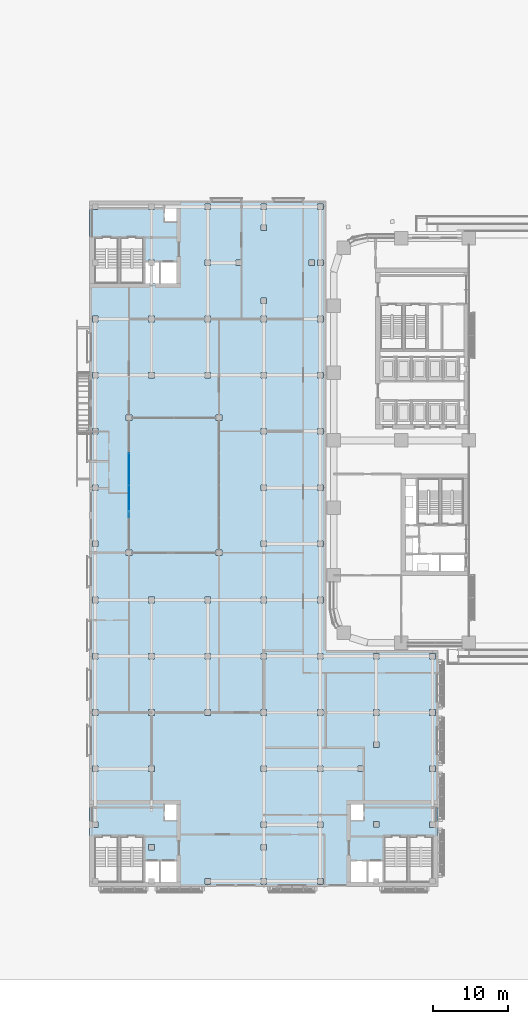
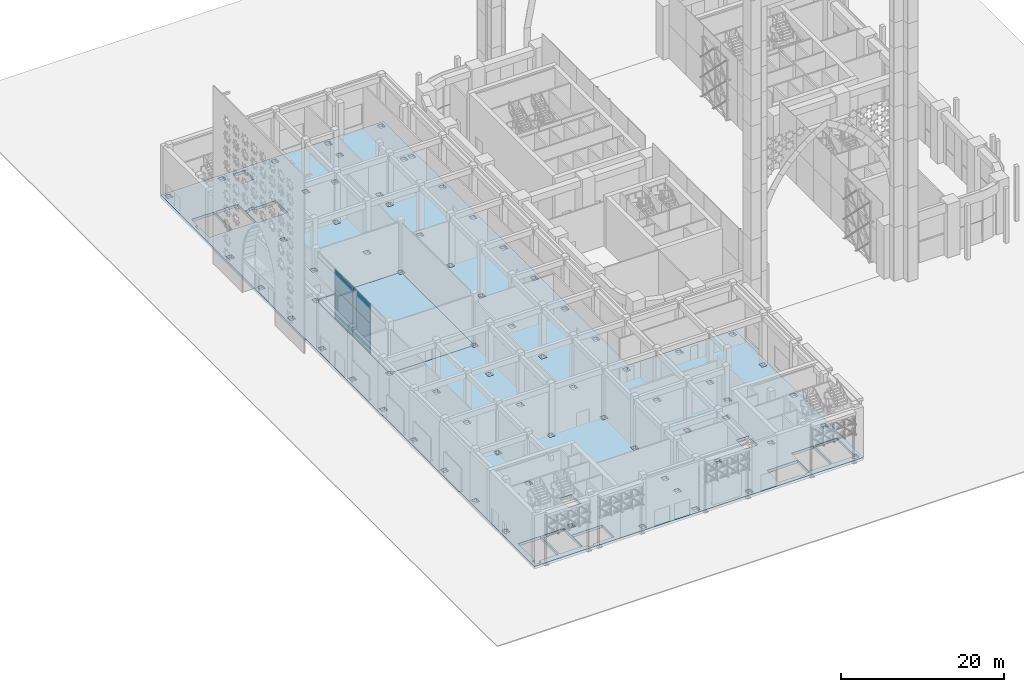
# One storey, part 21 of 64: 4 plates, 2 slabs, 1 element without a shape of its own.
"""IFC4 building model written with IfcOpenShell, lengths in metres."""

from ifc_helpers import new_model, si_unit, direction, frame, origin, origin_2d, place, context, subcontext, project, spatial, polyline, rectangle, outline, extrude, material, layer, layer_set, type_object, element, aggregate, save


model = new_model("IFC4")

# Units and contexts
model_context = context("Model", 3, precision=1e-05, world=origin(), true_north=direction((0.0, 1.0)))
body_context = subcontext(model_context, "Body", "Model", "MODEL_VIEW")
ifc_project = project(units=[si_unit("LENGTHUNIT", "METRE"), si_unit("AREAUNIT", "SQUARE_METRE"), si_unit("VOLUMEUNIT", "CUBIC_METRE"), si_unit("PLANEANGLEUNIT", "RADIAN"), si_unit("MASSUNIT", "GRAM", prefix="KILO")], contexts=[model_context])

# Site, building, storey
site_placement = place(None, origin())
site = spatial("IfcSite", under=ifc_project, at=site_placement, CompositionType="ELEMENT")
building_placement = place(site_placement, origin())
building = spatial("IfcBuilding", under=site, at=building_placement, Name="Tessera Arch", CompositionType="ELEMENT")
storey_placement = place(building_placement, origin())
storey = spatial("IfcBuildingStorey", under=building, at=storey_placement, Name="L00", CompositionType="ELEMENT", Elevation=0.0)

# Curtain wall, plates
ifc_material_1 = material(Name="Aluminium and clear glass", Category="aluminium")
ifc_layer_1 = layer(ifc_material_1, 0.1201171875)
ifc_layer_set_1 = layer_set([ifc_layer_1], Name="Courtyard curtain wall")
curtain_wall_type = type_object("IfcCurtainWallType", Name="Courtyard curtain wall", PredefinedType="NOTDEFINED", material=ifc_layer_set_1)
curtain_wall_placement = place(storey_placement, origin())
curtain_wall = element("IfcCurtainWall", 1, at=curtain_wall_placement, inside=storey, type_object=curtain_wall_type, Name="Courtyard curtain wall L00 4", PredefinedType="NOTDEFINED")
ifc_material_2 = material(Name="Clear low-e laminated glass", Category="glass")
ifc_layer_2 = layer(ifc_material_2, 0.028076171875)
ifc_layer_set_2 = layer_set([ifc_layer_2], Name="Courtyard glass panel")
plate_type = type_object("IfcPlateType", Name="Courtyard glass panel", PredefinedType="CURTAIN_PANEL", material=ifc_layer_set_2)
plate_1_placement = place(storey_placement, frame((-27.300048828125, 23.15625, 0.06005859375), z_axis=(0.0, 0.0, 1.0), x_axis=(0.0, -1.0, 0.0)))
plate_1 = element("IfcPlate", 2, at=plate_1_placement, type_object=plate_type, Name="MCW1 panel 2.1", PredefinedType="CURTAIN_PANEL", context=body_context, shape_type="SweptSolid", body=[
    extrude(rectangle(XDim=4.25244140625, YDim=0.028076171875, at=origin_2d()), origin(), (0.0, 0.0, 1.0), 4.464111328125),
])
plate_2_placement = place(storey_placement, frame((-27.300048828125, 23.15625, 4.583984375), z_axis=(0.0, 0.0, 1.0), x_axis=(0.0, -1.0, 0.0)))
plate_2 = element("IfcPlate", 3, at=plate_2_placement, type_object=plate_type, Name="MCW1 panel 2.2", PredefinedType="CURTAIN_PANEL", context=body_context, shape_type="SweptSolid", body=[
    extrude(rectangle(XDim=4.25244140625, YDim=0.028076171875, at=origin_2d()), origin(), (0.0, 0.0, 1.0), 2.946044921875),
])
plate_3_placement = place(storey_placement, frame((-27.300048828125, 18.84375, 0.06005859375), z_axis=(0.0, 0.0, 1.0), x_axis=(0.0, -1.0, 0.0)))
plate_3 = element("IfcPlate", 4, at=plate_3_placement, type_object=plate_type, Name="MCW1 panel 3.1", PredefinedType="CURTAIN_PANEL", context=body_context, shape_type="SweptSolid", body=[
    extrude(rectangle(XDim=4.25244140625, YDim=0.028076171875, at=origin_2d()), origin(), (0.0, 0.0, 1.0), 4.464111328125),
])
plate_4_placement = place(storey_placement, frame((-27.300048828125, 18.84375, 4.583984375), z_axis=(0.0, 0.0, 1.0), x_axis=(0.0, -1.0, 0.0)))
plate_4 = element("IfcPlate", 5, at=plate_4_placement, type_object=plate_type, Name="MCW1 panel 3.2", PredefinedType="CURTAIN_PANEL", context=body_context, shape_type="SweptSolid", body=[
    extrude(rectangle(XDim=4.25244140625, YDim=0.028076171875, at=origin_2d()), origin(), (0.0, 0.0, 1.0), 2.946044921875),
])
aggregate(curtain_wall, [plate_1, plate_2, plate_3, plate_4])

# Slabs
ifc_material_3 = material(Name="Concrete C40/50", Category="concrete")
ifc_layer_3 = layer(ifc_material_3, 0.409912109375)
ifc_layer_set_3 = layer_set([ifc_layer_3], Name="Museum floor slab 410 Concrete C40/50")
slab_type = type_object("IfcSlabType", Name="Museum floor slab 410 Concrete C40/50", PredefinedType="FLOOR", material=ifc_layer_set_3)
slab_1_placement = place(storey_placement, frame((0.0, 0.0, -0.409912109375)))
element("IfcSlab", 6, at=slab_1_placement, inside=storey, type_object=slab_type, Name="Museum floor slab L00 1", PredefinedType="FLOOR", context=body_context, shape_type="SweptSolid", body=[
    extrude(outline(polyline([(13.949951171875, -1.050048828125), (13.949951171875, -32.550048828125), (-32.550048828125, -32.550048828125), (-32.550048828125, 58.949951171875), (-1.050048828125, 58.949951171875), (-1.050048828125, -1.050048828125), (13.949951171875, -1.050048828125)]), holes=[polyline([(-27.675048828125, 12.375), (-27.675048828125, 11.625), (-26.925048828125, 11.625), (-26.925048828125, 12.0), (-15.675048828125, 12.0), (-15.675048828125, 11.625), (-14.925048828125, 11.625), (-14.925048828125, 12.375), (-15.300048828125, 12.375), (-15.300048828125, 29.625), (-14.925048828125, 29.625), (-14.925048828125, 30.375), (-15.675048828125, 30.375), (-15.675048828125, 30.0), (-26.925048828125, 30.0), (-26.925048828125, 30.375), (-27.675048828125, 30.375), (-27.675048828125, 29.625), (-27.300048828125, 29.625), (-27.300048828125, 12.375), (-27.675048828125, 12.375)]), polyline([(-31.425048828125, -32.175048828125), (-31.425048828125, -31.75), (-28.699951171875, -31.75), (-28.699951171875, -27.360107421875), (-30.199951171875, -27.360107421875), (-30.199951171875, -27.35009765625), (-30.35009765625, -27.35009765625), (-30.35009765625, -27.360107421875), (-31.85009765625, -27.360107421875), (-31.85009765625, -31.425048828125), (-32.175048828125, -31.425048828125), (-32.175048828125, -32.175048828125), (-31.425048828125, -32.175048828125)]), polyline([(-16.425048828125, -32.175048828125), (-16.425048828125, -31.425048828125), (-17.175048828125, -31.425048828125), (-17.175048828125, -32.175048828125), (-16.425048828125, -32.175048828125)]), polyline([(-23.925048828125, -32.175048828125), (-23.925048828125, -31.949951171875), (-23.14990234375, -31.949951171875), (-20.949951171875, -31.949951171875), (-20.949951171875, -29.050048828125), (-23.14990234375, -29.050048828125), (-25.25, -29.050048828125), (-25.25, -31.949951171875), (-24.675048828125, -31.949951171875), (-24.675048828125, -32.175048828125), (-23.925048828125, -32.175048828125)]), polyline([(-23.925048828125, -27.675048828125), (-23.925048828125, -26.925048828125), (-24.675048828125, -26.925048828125), (-24.675048828125, -27.675048828125), (-23.925048828125, -27.675048828125)]), polyline([(-31.425048828125, -24.675048828125), (-31.425048828125, -23.925048828125), (-32.175048828125, -23.925048828125), (-32.175048828125, -24.675048828125), (-31.425048828125, -24.675048828125)]), polyline([(-31.425048828125, -17.175048828125), (-31.425048828125, -16.425048828125), (-32.175048828125, -16.425048828125), (-32.175048828125, -17.175048828125), (-31.425048828125, -17.175048828125)]), polyline([(-23.925048828125, -17.175048828125), (-23.925048828125, -16.425048828125), (-24.675048828125, -16.425048828125), (-24.675048828125, -17.175048828125), (-23.925048828125, -17.175048828125)]), polyline([(-32.175048828125, -9.675048828125), (-31.425048828125, -9.675048828125), (-31.425048828125, -8.925048828125), (-32.175048828125, -8.925048828125), (-32.175048828125, -9.675048828125)]), polyline([(-24.675048828125, -9.675048828125), (-23.925048828125, -9.675048828125), (-23.925048828125, -8.925048828125), (-24.675048828125, -8.925048828125), (-24.675048828125, -9.675048828125)]), polyline([(-23.925048828125, -2.175048828125), (-23.925048828125, -1.425048828125), (-24.675048828125, -1.425048828125), (-24.675048828125, -2.175048828125), (-23.925048828125, -2.175048828125)]), polyline([(-31.425048828125, -2.175048828125), (-31.425048828125, -1.425048828125), (-32.175048828125, -1.425048828125), (-32.175048828125, -2.175048828125), (-31.425048828125, -2.175048828125)]), polyline([(-31.425048828125, 5.324951171875), (-31.425048828125, 6.074951171875), (-32.175048828125, 6.074951171875), (-32.175048828125, 5.324951171875), (-31.425048828125, 5.324951171875)]), polyline([(-24.675048828125, 5.324951171875), (-23.925048828125, 5.324951171875), (-23.925048828125, 6.074951171875), (-24.675048828125, 6.074951171875), (-24.675048828125, 5.324951171875)]), polyline([(-31.425048828125, 12.824951171875), (-31.425048828125, 13.574951171875), (-32.175048828125, 13.574951171875), (-32.175048828125, 12.824951171875), (-31.425048828125, 12.824951171875)]), polyline([(-31.425048828125, 20.324951171875), (-31.425048828125, 21.074951171875), (-32.175048828125, 21.074951171875), (-32.175048828125, 20.324951171875), (-31.425048828125, 20.324951171875)]), polyline([(-31.425048828125, 27.824951171875), (-31.425048828125, 28.574951171875), (-32.175048828125, 28.574951171875), (-32.175048828125, 27.824951171875), (-31.425048828125, 27.824951171875)]), polyline([(-24.675048828125, 35.324951171875), (-23.925048828125, 35.324951171875), (-23.925048828125, 36.074951171875), (-24.675048828125, 36.074951171875), (-24.675048828125, 35.324951171875)]), polyline([(-31.425048828125, 35.324951171875), (-31.425048828125, 36.074951171875), (-32.175048828125, 36.074951171875), (-32.175048828125, 35.324951171875), (-31.425048828125, 35.324951171875)]), polyline([(-23.925048828125, 42.824951171875), (-23.925048828125, 43.574951171875), (-24.675048828125, 43.574951171875), (-24.675048828125, 42.824951171875), (-23.925048828125, 42.824951171875)]), polyline([(-31.425048828125, 42.824951171875), (-31.425048828125, 43.574951171875), (-32.175048828125, 43.574951171875), (-32.175048828125, 42.824951171875), (-31.425048828125, 42.824951171875)]), polyline([(-23.925048828125, 51.074951171875), (-24.675048828125, 51.074951171875), (-24.675048828125, 50.85009765625), (-25.25, 50.85009765625), (-25.25, 47.949951171875), (-23.14990234375, 47.949951171875), (-20.949951171875, 47.949951171875), (-20.949951171875, 50.85009765625), (-23.14990234375, 50.85009765625), (-23.925048828125, 50.85009765625), (-23.925048828125, 51.074951171875)]), polyline([(-31.85009765625, 50.324951171875), (-31.85009765625, 48.14990234375), (-28.699951171875, 48.14990234375), (-28.699951171875, 52.5400390625), (-30.199951171875, 52.5400390625), (-30.199951171875, 52.550048828125), (-30.35009765625, 52.550048828125), (-30.35009765625, 52.5400390625), (-31.85009765625, 52.5400390625), (-31.85009765625, 51.074951171875), (-32.175048828125, 51.074951171875), (-32.175048828125, 50.324951171875), (-31.85009765625, 50.324951171875)]), polyline([(-23.925048828125, 57.824951171875), (-23.925048828125, 58.574951171875), (-24.675048828125, 58.574951171875), (-24.675048828125, 57.824951171875), (-23.925048828125, 57.824951171875)]), polyline([(-31.425048828125, 57.824951171875), (-31.425048828125, 58.574951171875), (-32.175048828125, 58.574951171875), (-32.175048828125, 57.824951171875), (-31.425048828125, 57.824951171875)]), polyline([(-9.675048828125, -32.175048828125), (-8.925048828125, -32.175048828125), (-8.925048828125, -31.425048828125), (-9.675048828125, -31.425048828125), (-9.675048828125, -32.175048828125)]), polyline([(-9.675048828125, -27.675048828125), (-8.925048828125, -27.675048828125), (-8.925048828125, -26.925048828125), (-9.675048828125, -26.925048828125), (-9.675048828125, -27.675048828125)]), polyline([(-8.925048828125, -24.675048828125), (-8.925048828125, -23.925048828125), (-9.675048828125, -23.925048828125), (-9.675048828125, -24.675048828125), (-8.925048828125, -24.675048828125)]), polyline([(-8.925048828125, -17.175048828125), (-8.925048828125, -16.425048828125), (-9.675048828125, -16.425048828125), (-9.675048828125, -17.175048828125), (-8.925048828125, -17.175048828125)]), polyline([(-16.425048828125, -9.675048828125), (-16.425048828125, -8.925048828125), (-17.175048828125, -8.925048828125), (-17.175048828125, -9.675048828125), (-16.425048828125, -9.675048828125)]), polyline([(-9.675048828125, -9.675048828125), (-8.925048828125, -9.675048828125), (-8.925048828125, -8.925048828125), (-9.675048828125, -8.925048828125), (-9.675048828125, -9.675048828125)]), polyline([(-9.675048828125, -2.175048828125), (-8.925048828125, -2.175048828125), (-8.925048828125, -1.425048828125), (-9.675048828125, -1.425048828125), (-9.675048828125, -2.175048828125)]), polyline([(-16.425048828125, -2.175048828125), (-16.425048828125, -1.425048828125), (-17.175048828125, -1.425048828125), (-17.175048828125, -2.175048828125), (-16.425048828125, -2.175048828125)]), polyline([(-16.425048828125, 5.324951171875), (-16.425048828125, 6.074951171875), (-17.175048828125, 6.074951171875), (-17.175048828125, 5.324951171875), (-16.425048828125, 5.324951171875)]), polyline([(-8.925048828125, 5.324951171875), (-8.925048828125, 6.074951171875), (-9.675048828125, 6.074951171875), (-9.675048828125, 5.324951171875), (-8.925048828125, 5.324951171875)]), polyline([(-9.675048828125, 12.824951171875), (-8.925048828125, 12.824951171875), (-8.925048828125, 13.574951171875), (-9.675048828125, 13.574951171875), (-9.675048828125, 12.824951171875)]), polyline([(-8.925048828125, 20.324951171875), (-8.925048828125, 21.074951171875), (-9.675048828125, 21.074951171875), (-9.675048828125, 20.324951171875), (-8.925048828125, 20.324951171875)]), polyline([(-8.925048828125, 27.824951171875), (-8.925048828125, 28.574951171875), (-9.675048828125, 28.574951171875), (-9.675048828125, 27.824951171875), (-8.925048828125, 27.824951171875)]), polyline([(-16.425048828125, 35.324951171875), (-16.425048828125, 36.074951171875), (-17.175048828125, 36.074951171875), (-17.175048828125, 35.324951171875), (-16.425048828125, 35.324951171875)]), polyline([(-8.925048828125, 35.324951171875), (-8.925048828125, 36.074951171875), (-9.675048828125, 36.074951171875), (-9.675048828125, 35.324951171875), (-8.925048828125, 35.324951171875)]), polyline([(-8.925048828125, 42.824951171875), (-8.925048828125, 43.574951171875), (-9.675048828125, 43.574951171875), (-9.675048828125, 42.824951171875), (-8.925048828125, 42.824951171875)]), polyline([(-16.425048828125, 42.824951171875), (-16.425048828125, 43.574951171875), (-17.175048828125, 43.574951171875), (-17.175048828125, 42.824951171875), (-16.425048828125, 42.824951171875)]), polyline([(-9.675048828125, 45.25), (-8.925048828125, 45.25), (-8.925048828125, 46.0), (-9.675048828125, 46.0), (-9.675048828125, 45.25)]), polyline([(-13.050048828125, 50.324951171875), (-12.300048828125, 50.324951171875), (-12.300048828125, 51.074951171875), (-13.050048828125, 51.074951171875), (-13.050048828125, 50.324951171875)]), polyline([(-16.425048828125, 50.324951171875), (-16.425048828125, 51.074951171875), (-17.175048828125, 51.074951171875), (-17.175048828125, 50.324951171875), (-16.425048828125, 50.324951171875)]), polyline([(-2.550048828125, 50.324951171875), (-2.550048828125, 51.074951171875), (-3.300048828125, 51.074951171875), (-3.300048828125, 50.324951171875), (-2.550048828125, 50.324951171875)]), polyline([(-8.925048828125, 55.0), (-8.925048828125, 55.75), (-9.675048828125, 55.75), (-9.675048828125, 55.0), (-8.925048828125, 55.0)]), polyline([(-9.675048828125, 57.824951171875), (-8.925048828125, 57.824951171875), (-8.925048828125, 58.574951171875), (-9.675048828125, 58.574951171875), (-9.675048828125, 57.824951171875)]), polyline([(-17.175048828125, 57.824951171875), (-16.425048828125, 57.824951171875), (-16.425048828125, 58.574951171875), (-17.175048828125, 58.574951171875), (-17.175048828125, 57.824951171875)]), polyline([(-1.425048828125, -32.175048828125), (-1.425048828125, -31.425048828125), (-2.175048828125, -31.425048828125), (-2.175048828125, -32.175048828125), (-1.425048828125, -32.175048828125)]), polyline([(13.574951171875, -32.175048828125), (13.574951171875, -31.425048828125), (13.25, -31.425048828125), (13.25, -27.360107421875), (11.75, -27.360107421875), (11.75, -27.35009765625), (11.60009765625, -27.35009765625), (11.60009765625, -27.360107421875), (10.10009765625, -27.360107421875), (10.10009765625, -31.75), (12.824951171875, -31.75), (12.824951171875, -32.175048828125), (13.574951171875, -32.175048828125)]), polyline([(6.074951171875, -32.175048828125), (6.074951171875, -31.949951171875), (6.64990234375, -31.949951171875), (6.64990234375, -29.050048828125), (4.550048828125, -29.050048828125), (2.35009765625, -29.050048828125), (2.35009765625, -31.949951171875), (4.550048828125, -31.949951171875), (5.324951171875, -31.949951171875), (5.324951171875, -32.175048828125), (6.074951171875, -32.175048828125)]), polyline([(12.824951171875, -24.675048828125), (13.574951171875, -24.675048828125), (13.574951171875, -23.925048828125), (12.824951171875, -23.925048828125), (12.824951171875, -24.675048828125)]), polyline([(-2.175048828125, -24.675048828125), (-1.425048828125, -24.675048828125), (-1.425048828125, -23.925048828125), (-2.175048828125, -23.925048828125), (-2.175048828125, -24.675048828125)]), polyline([(6.074951171875, -24.574951171875), (6.074951171875, -23.824951171875), (5.324951171875, -23.824951171875), (5.324951171875, -24.574951171875), (6.074951171875, -24.574951171875)]), polyline([(-1.425048828125, -17.175048828125), (-1.425048828125, -16.425048828125), (-2.175048828125, -16.425048828125), (-2.175048828125, -17.175048828125), (-1.425048828125, -17.175048828125)]), polyline([(13.574951171875, -17.175048828125), (13.574951171875, -16.425048828125), (12.824951171875, -16.425048828125), (12.824951171875, -17.175048828125), (13.574951171875, -17.175048828125)]), polyline([(4.0, -17.175048828125), (4.0, -16.425048828125), (3.25, -16.425048828125), (3.25, -17.175048828125), (4.0, -17.175048828125)]), polyline([(6.074951171875, -14.0), (6.074951171875, -13.25), (5.324951171875, -13.25), (5.324951171875, -14.0), (6.074951171875, -14.0)]), polyline([(-1.425048828125, -9.675048828125), (-1.425048828125, -8.925048828125), (-2.175048828125, -8.925048828125), (-2.175048828125, -9.675048828125), (-1.425048828125, -9.675048828125)]), polyline([(6.074951171875, -9.675048828125), (6.074951171875, -8.925048828125), (5.324951171875, -8.925048828125), (5.324951171875, -9.675048828125), (6.074951171875, -9.675048828125)]), polyline([(12.824951171875, -9.675048828125), (13.574951171875, -9.675048828125), (13.574951171875, -8.925048828125), (12.824951171875, -8.925048828125), (12.824951171875, -9.675048828125)]), polyline([(-2.175048828125, -2.175048828125), (-1.425048828125, -2.175048828125), (-1.425048828125, -1.425048828125), (-2.175048828125, -1.425048828125), (-2.175048828125, -2.175048828125)]), polyline([(6.074951171875, -2.175048828125), (6.074951171875, -1.425048828125), (5.324951171875, -1.425048828125), (5.324951171875, -2.175048828125), (6.074951171875, -2.175048828125)]), polyline([(13.574951171875, -2.175048828125), (13.574951171875, -1.425048828125), (12.824951171875, -1.425048828125), (12.824951171875, -2.175048828125), (13.574951171875, -2.175048828125)]), polyline([(-1.425048828125, 5.324951171875), (-1.425048828125, 6.074951171875), (-2.175048828125, 6.074951171875), (-2.175048828125, 5.324951171875), (-1.425048828125, 5.324951171875)]), polyline([(-2.175048828125, 12.824951171875), (-1.425048828125, 12.824951171875), (-1.425048828125, 13.574951171875), (-2.175048828125, 13.574951171875), (-2.175048828125, 12.824951171875)]), polyline([(-2.175048828125, 20.324951171875), (-1.425048828125, 20.324951171875), (-1.425048828125, 21.074951171875), (-2.175048828125, 21.074951171875), (-2.175048828125, 20.324951171875)]), polyline([(-1.425048828125, 27.824951171875), (-1.425048828125, 28.574951171875), (-2.175048828125, 28.574951171875), (-2.175048828125, 27.824951171875), (-1.425048828125, 27.824951171875)]), polyline([(-1.425048828125, 35.324951171875), (-1.425048828125, 36.074951171875), (-2.175048828125, 36.074951171875), (-2.175048828125, 35.324951171875), (-1.425048828125, 35.324951171875)]), polyline([(-1.425048828125, 42.824951171875), (-1.425048828125, 43.574951171875), (-2.175048828125, 43.574951171875), (-2.175048828125, 42.824951171875), (-1.425048828125, 42.824951171875)]), polyline([(-2.175048828125, 50.324951171875), (-1.425048828125, 50.324951171875), (-1.425048828125, 51.074951171875), (-2.175048828125, 51.074951171875), (-2.175048828125, 50.324951171875)]), polyline([(-2.175048828125, 57.824951171875), (-1.425048828125, 57.824951171875), (-1.425048828125, 58.574951171875), (-2.175048828125, 58.574951171875), (-2.175048828125, 57.824951171875)]), polyline([(-27.0, -27.360107421875), (-28.5, -27.360107421875), (-28.5, -31.75), (-25.35009765625, -31.75), (-25.35009765625, -27.360107421875), (-26.85009765625, -27.360107421875), (-26.85009765625, -27.35009765625), (-27.0, -27.35009765625), (-27.0, -27.360107421875)]), polyline([(-27.0, 52.5400390625), (-28.5, 52.5400390625), (-28.5, 48.14990234375), (-25.35009765625, 48.14990234375), (-25.35009765625, 52.5400390625), (-26.85009765625, 52.5400390625), (-26.85009765625, 52.550048828125), (-27.0, 52.550048828125), (-27.0, 52.5400390625)]), polyline([(8.25, -27.360107421875), (6.75, -27.360107421875), (6.75, -31.75), (9.89990234375, -31.75), (9.89990234375, -27.360107421875), (8.39990234375, -27.360107421875), (8.39990234375, -27.35009765625), (8.25, -27.35009765625), (8.25, -27.360107421875)]), polyline([(-20.949951171875, -23.75), (-20.949951171875, -21.550048828125), (-22.64990234375, -21.550048828125), (-22.64990234375, -23.75), (-20.949951171875, -23.75)]), polyline([(4.050048828125, -23.75), (4.050048828125, -21.550048828125), (2.35009765625, -21.550048828125), (2.35009765625, -23.75), (4.050048828125, -23.75)]), polyline([(-20.949951171875, 56.14990234375), (-20.949951171875, 58.35009765625), (-22.64990234375, 58.35009765625), (-22.64990234375, 56.14990234375), (-20.949951171875, 56.14990234375)])]), origin(), (0.0, 0.0, 1.0), 0.409912109375),
])
slab_2_placement = place(storey_placement, frame((0.0, 0.0, -0.409912109375)))
element("IfcSlab", 7, at=slab_2_placement, inside=storey, type_object=slab_type, Name="Courtyard floor slab 1", PredefinedType="FLOOR", context=body_context, shape_type="SweptSolid", body=[
    extrude(outline(polyline([(-15.300048828125, 12.375), (-15.675048828125, 12.375), (-15.675048828125, 12.0), (-26.925048828125, 12.0), (-26.925048828125, 12.375), (-27.300048828125, 12.375), (-27.300048828125, 29.625), (-26.925048828125, 29.625), (-26.925048828125, 30.0), (-15.675048828125, 30.0), (-15.675048828125, 29.625), (-15.300048828125, 29.625), (-15.300048828125, 12.375)])), origin(), (0.0, 0.0, 1.0), 0.409912109375),
])

save(model, "model.ifc")
